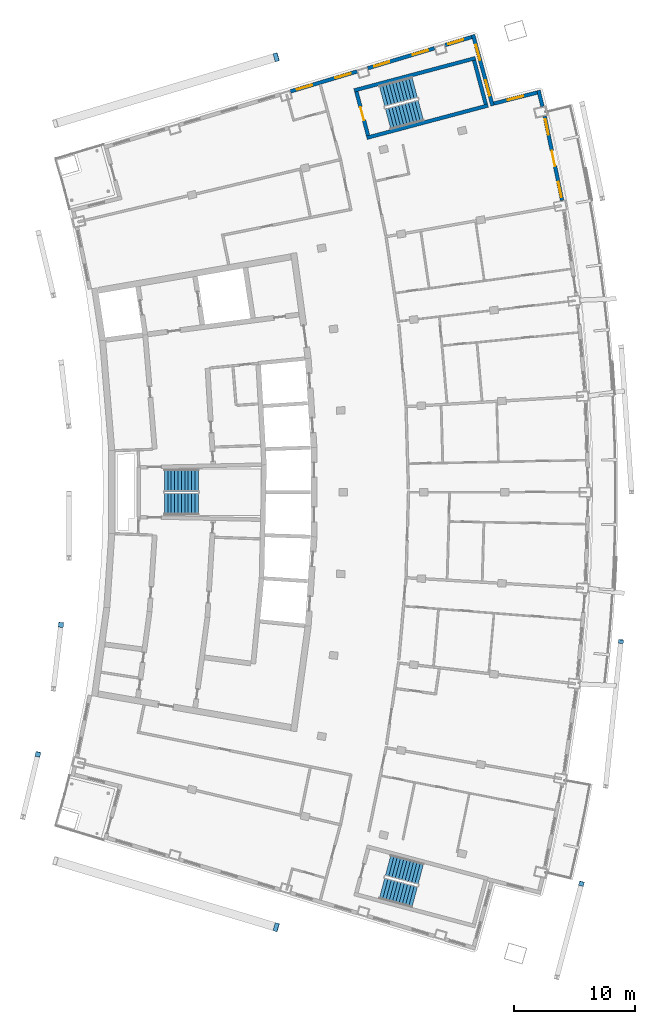
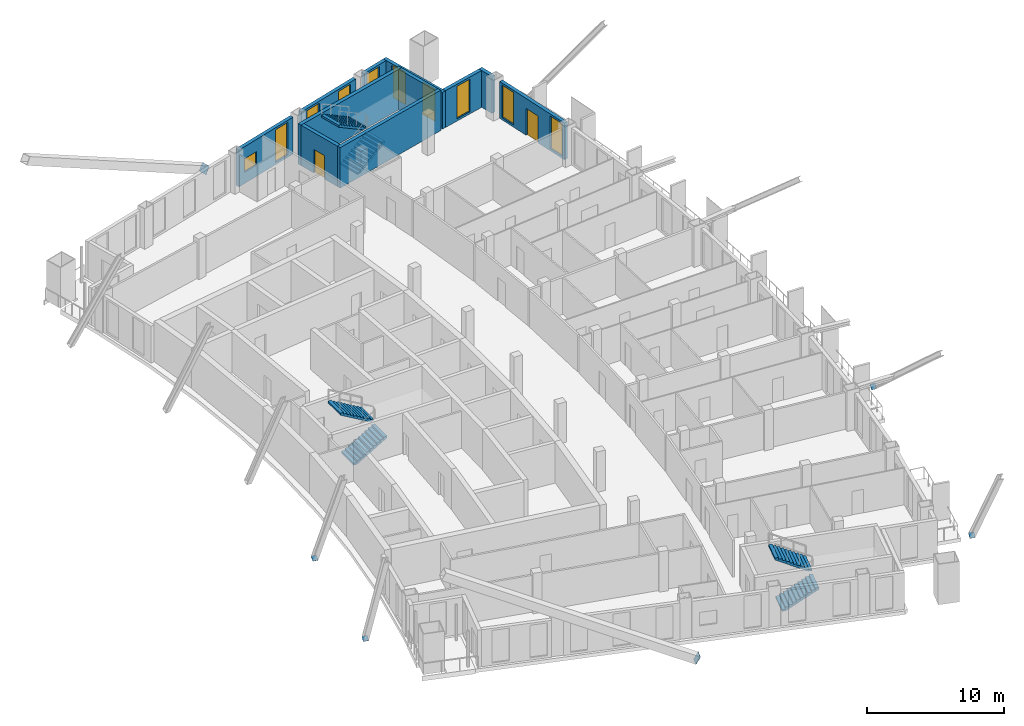
# One storey, part 13 of 17: 11 walls, 10 windows, 6 discrete accessories, 6 stair flights, 2 doors, 12 openings, 3 elements without a shape of their own.
"""IFC4 building model written with IfcOpenShell, lengths in metres."""

from ifc_helpers import new_model, si_unit, direction, frame, frame_2d, origin, origin_2d, place, context, subcontext, project, spatial, polyline, rectangle, outline, extrude, material, layer, layer_set, material_profile, profile_set, type_object, element, fill, aggregate, save


model = new_model("IFC4")

# Units and contexts
model_context = context("Model", 3, precision=1e-05, world=origin(), true_north=direction((0.0, 1.0)))
body_context = subcontext(model_context, "Body", "Model", "MODEL_VIEW")
ifc_project = project(units=[si_unit("LENGTHUNIT", "METRE"), si_unit("AREAUNIT", "SQUARE_METRE"), si_unit("VOLUMEUNIT", "CUBIC_METRE"), si_unit("PLANEANGLEUNIT", "RADIAN"), si_unit("MASSUNIT", "GRAM", prefix="KILO")], contexts=[model_context])

# Site, building, storey
site_placement = place(None, origin())
site = spatial("IfcSite", under=ifc_project, at=site_placement, CompositionType="ELEMENT")
building_placement = place(site_placement, origin())
building = spatial("IfcBuilding", under=site, at=building_placement, Name="Alderwake Tower", CompositionType="ELEMENT")
storey_placement = place(building_placement, frame((0.0, 0.0, 278.0)))
storey = spatial("IfcBuildingStorey", under=building, at=storey_placement, Name="L69", CompositionType="ELEMENT", Elevation=278.0)

# Walls
ifc_material_1 = material(Name="Concrete C70/85", Category="concrete")
ifc_layer_1 = layer(ifc_material_1, 0.300048828125)
ifc_layer_set_1 = layer_set([ifc_layer_1], Name="Core wall stair enclosure 300 C70-85")
wall_type_1 = type_object("IfcWallType", Name="Core wall stair enclosure 300 C70-85", PredefinedType="SHEAR", material=ifc_layer_set_1)
for number, where, z_axis, x_axis, name in (
    (1, (36.71142578125, 94.182373046875, 0.0), (0.0, 0.0, 1.0), (0.966309214305, 0.257383958996, 0.0), "Core wall CW.082"),
    (2, (37.75390625, 90.268798828125, 0.0), (0.0, 0.0, 1.0), (0.966309214305, 0.257383958996, 0.0), "Core wall CW.084"),
):
    element("IfcWall", number, at=place(storey_placement, frame(where, z_axis=z_axis, x_axis=x_axis)), inside=storey, type_object=wall_type_1, Name=name, PredefinedType="SHEAR", context=body_context, shape_type="SweptSolid", body=[
        extrude(rectangle(XDim=10.360107421875, YDim=0.300048828125, at=frame_2d((5.18017578125, 0.0))), origin(), (0.0, 0.0, 1.0), 3.60009765625),
    ])

# Wall, opening, door
wall_1_placement = place(storey_placement, frame((37.8603515625, 90.452392578125, 0.0), z_axis=(0.0, 0.0, 1.0), x_axis=(-0.257411420208, 0.966301899381, 0.0)))
wall_1 = element("IfcWall", 3, at=wall_1_placement, inside=storey, type_object=wall_type_1, Name="Core wall CW.083", PredefinedType="SHEAR", context=body_context, shape_type="SweptSolid", body=[
    extrude(rectangle(XDim=3.750244140625, YDim=0.300048828125, at=frame_2d((1.875, 0.0))), origin(), (0.0, 0.0, 1.0), 3.60009765625),
])
opening_1_placement = place(wall_1_placement, frame((1.324951171875, 0.0, 0.0)))
opening_1 = element("IfcOpeningElement", 4, at=opening_1_placement, cuts=wall_1, Name="Opening C062", PredefinedType="OPENING", context=body_context, shape_type="SweptSolid", body=[
    extrude(rectangle(XDim=1.10009765625, YDim=2.10009765625, at=frame_2d((0.550048828125, 1.050048828125))), frame((0.0, 0.159912109375, 0.0), z_axis=(0.0, -1.0, 0.0), x_axis=(1.0, 0.0, 0.0)), (0.0, 0.0, 1.0), 0.320068359375),
])
ifc_material_2 = material(Name="Steel-framed fire door leaf", Category="steel")
door_type_1 = type_object("IfcDoorType", Name="Core stair door 1100 fire-rated", OperationType="SINGLE_SWING_LEFT", PredefinedType="DOOR", material=ifc_material_2)
door_1_placement = place(opening_1_placement, origin())
door_1 = element("IfcDoor", 5, at=door_1_placement, inside=storey, type_object=door_type_1, Name="Stair door", OperationType="SINGLE_SWING_RIGHT", OverallHeight=2.10009765625, OverallWidth=1.10009765625, PredefinedType="DOOR", context=body_context, shape_type="SweptSolid", body=[
    extrude(rectangle(XDim=1.10009765625, YDim=2.10009765625, at=frame_2d((0.550048828125, 1.050048828125))), frame((0.0, 0.02490234375, 0.0), z_axis=(0.0, -1.0, 0.0), x_axis=(1.0, 0.0, 0.0)), (0.0, 0.0, 1.0), 0.050048828125),
])
fill(opening_1, door_1)

# Wall
wall_2_placement = place(storey_placement, frame((47.581298828125, 93.041748046875, 0.0), z_axis=(0.0, 0.0, 1.0), x_axis=(-0.257366821694, 0.966313778796, 0.0)))
element("IfcWall", 6, at=wall_2_placement, inside=storey, type_object=wall_type_1, Name="Core wall CW.081", PredefinedType="SHEAR", context=body_context, shape_type="SweptSolid", body=[
    extrude(rectangle(XDim=3.749755859375, YDim=0.300048828125, at=frame_2d((1.875, 0.0))), origin(), (0.0, 0.0, 1.0), 3.60009765625),
])

# Wall, openings, door, windows
ifc_material_3 = material(Name="Precast concrete C50/60 spandrel panel", Category="concrete")
ifc_layer_2 = layer(ifc_material_3, 0.300048828125)
ifc_layer_set_2 = layer_set([ifc_layer_2], Name="External wall EW1 Precast concrete C50/60 spandrel")
wall_type_2 = type_object("IfcWallType", Name="External wall EW1 Precast concrete C50/60 spandrel", PredefinedType="SOLIDWALL", material=ifc_layer_set_2)
wall_3_placement = place(storey_placement, frame((53.886474609375, 85.100341796875, 0.0), z_axis=(0.0, 0.0, 1.0), x_axis=(-0.202764970436, 0.979227433625, 0.0)))
wall_3 = element("IfcWall", 7, at=wall_3_placement, inside=storey, type_object=wall_type_2, Name="External wall 19", PredefinedType="SOLIDWALL", context=body_context, shape_type="SweptSolid", body=[
    extrude(rectangle(XDim=7.091796875, YDim=0.300048828125, at=frame_2d((3.5458984375, 0.0))), origin(), (0.0, 0.0, 1.0), 3.280029296875),
])
opening_2_placement = place(wall_3_placement, frame((0.255615234375, 0.0, 0.199951171875)))
opening_2 = element("IfcOpeningElement", 8, at=opening_2_placement, cuts=wall_3, Name="Opening W1", PredefinedType="OPENING", context=body_context, shape_type="SweptSolid", body=[
    extrude(rectangle(XDim=1.300048828125, YDim=2.89990234375, at=frame_2d((0.64990234375, 1.449951171875))), frame((0.0, 0.159912109375, 0.0), z_axis=(0.0, -1.0, 0.0), x_axis=(1.0, 0.0, 0.0)), (0.0, 0.0, 1.0), 0.320068359375),
])
opening_3_placement = place(wall_3_placement, frame((2.895751953125, 0.0, 0.0)))
opening_3 = element("IfcOpeningElement", 9, at=opening_3_placement, cuts=wall_3, Name="Opening D08", PredefinedType="OPENING", context=body_context, shape_type="SweptSolid", body=[
    extrude(rectangle(XDim=1.300048828125, YDim=2.39990234375, at=frame_2d((0.64990234375, 1.199951171875))), frame((0.0, 0.159912109375, 0.0), z_axis=(0.0, -1.0, 0.0), x_axis=(1.0, 0.0, 0.0)), (0.0, 0.0, 1.0), 0.320068359375),
])
opening_4_placement = place(wall_3_placement, frame((5.535888671875, 0.0, 0.199951171875)))
opening_4 = element("IfcOpeningElement", 10, at=opening_4_placement, cuts=wall_3, Name="Opening W1", PredefinedType="OPENING", context=body_context, shape_type="SweptSolid", body=[
    extrude(rectangle(XDim=1.300048828125, YDim=2.89990234375, at=frame_2d((0.64990234375, 1.449951171875))), frame((0.0, 0.159912109375, 0.0), z_axis=(0.0, -1.0, 0.0), x_axis=(1.0, 0.0, 0.0)), (0.0, 0.0, 1.0), 0.320068359375),
])
ifc_material_4 = material(Name="Bronze tinted glass in aluminium frame", Category="aluminium")
door_type_2 = type_object("IfcDoorType", Name="Balcony door BD sliding", OperationType="SLIDING_TO_LEFT", PredefinedType="DOOR", material=ifc_material_4)
door_2_placement = place(opening_3_placement, origin())
door_2 = element("IfcDoor", 11, at=door_2_placement, inside=storey, type_object=door_type_2, Name="Door D08", OperationType="SLIDING_TO_LEFT", OverallHeight=2.39990234375, OverallWidth=1.300048828125, PredefinedType="DOOR", context=body_context, shape_type="SweptSolid", body=[
    extrude(rectangle(XDim=1.300048828125, YDim=2.39990234375, at=frame_2d((0.64990234375, 1.199951171875))), frame((0.0, 0.02490234375, 0.0), z_axis=(0.0, -1.0, 0.0), x_axis=(1.0, 0.0, 0.0)), (0.0, 0.0, 1.0), 0.050048828125),
])
fill(opening_3, door_2)
ifc_material_5 = material(Name="Bronze tinted glass in aluminium frame", Category="aluminium")
window_type_1 = type_object("IfcWindowType", Name="Window W1 tall fixed and vent", PartitioningType="DOUBLE_PANEL_VERTICAL", PredefinedType="WINDOW", material=ifc_material_5)
window_1_placement = place(opening_2_placement, origin())
window_1 = element("IfcWindow", 12, at=window_1_placement, inside=storey, type_object=window_type_1, Name="Window W1 tall fixed and vent", OverallHeight=2.89990234375, OverallWidth=1.300048828125, PartitioningType="DOUBLE_PANEL_VERTICAL", PredefinedType="WINDOW", context=body_context, shape_type="SweptSolid", body=[
    extrude(rectangle(XDim=1.300048828125, YDim=2.89990234375, at=frame_2d((0.64990234375, 1.449951171875))), frame((0.0, 0.030029296875, 0.0), z_axis=(0.0, -1.0, 0.0), x_axis=(1.0, 0.0, 0.0)), (0.0, 0.0, 1.0), 0.06005859375),
])
fill(opening_2, window_1)
window_2_placement = place(opening_4_placement, origin())
window_2 = element("IfcWindow", 13, at=window_2_placement, inside=storey, type_object=window_type_1, Name="Window W1 tall fixed and vent", OverallHeight=2.89990234375, OverallWidth=1.300048828125, PartitioningType="DOUBLE_PANEL_VERTICAL", PredefinedType="WINDOW", context=body_context, shape_type="SweptSolid", body=[
    extrude(rectangle(XDim=1.300048828125, YDim=2.89990234375, at=frame_2d((0.64990234375, 1.449951171875))), frame((0.0, 0.030029296875, 0.0), z_axis=(0.0, -1.0, 0.0), x_axis=(1.0, 0.0, 0.0)), (0.0, 0.0, 1.0), 0.06005859375),
])
fill(opening_4, window_2)

# Wall
wall_4_placement = place(storey_placement, frame((52.2666015625, 92.8515625, 0.0), z_axis=(0.0, 0.0, 1.0), x_axis=(-0.238407508489, 0.971165207313, 0.0)))
element("IfcWall", 14, at=wall_4_placement, inside=storey, type_object=wall_type_2, Name="External wall 20", PredefinedType="SOLIDWALL", context=body_context, shape_type="SweptSolid", body=[
    extrude(rectangle(XDim=1.37841796875, YDim=0.300048828125, at=frame_2d((0.689208984375, 0.0))), origin(), (0.0, 0.0, 1.0), 3.280029296875),
])

# Wall, opening, window
ifc_material_6 = material(Name="Bronze metal cladding on lightweight framing")
ifc_layer_3 = layer(ifc_material_6, 0.300048828125)
ifc_layer_set_3 = layer_set([ifc_layer_3], Name="External wall EW2 bronze metal cladding")
wall_type_3 = type_object("IfcWallType", Name="External wall EW2 bronze metal cladding", PredefinedType="SOLIDWALL", material=ifc_layer_set_3)
wall_5_placement = place(storey_placement, frame((51.828369140625, 94.0078125, 0.0), z_axis=(0.0, 0.0, 1.0), x_axis=(-0.969426922046, -0.245380200529, 0.0)))
wall_5 = element("IfcWall", 15, at=wall_5_placement, inside=storey, type_object=wall_type_3, Name="External wall 21", PredefinedType="SOLIDWALL", context=body_context, shape_type="SweptSolid", body=[
    extrude(rectangle(XDim=3.6943359375, YDim=0.300048828125, at=frame_2d((1.84716796875, 0.0))), origin(), (0.0, 0.0, 1.0), 3.280029296875),
])
opening_5_placement = place(wall_5_placement, frame((1.197021484375, 0.0, 0.199951171875)))
opening_5 = element("IfcOpeningElement", 16, at=opening_5_placement, cuts=wall_5, Name="Opening W1", PredefinedType="OPENING", context=body_context, shape_type="SweptSolid", body=[
    extrude(rectangle(XDim=1.300048828125, YDim=2.89990234375, at=frame_2d((0.64990234375, 1.449951171875))), frame((0.0, 0.159912109375, 0.0), z_axis=(0.0, -1.0, 0.0), x_axis=(1.0, 0.0, 0.0)), (0.0, 0.0, 1.0), 0.320068359375),
])
window_3_placement = place(opening_5_placement, origin())
window_3 = element("IfcWindow", 17, at=window_3_placement, inside=storey, type_object=window_type_1, Name="Window W1 tall fixed and vent", OverallHeight=2.89990234375, OverallWidth=1.300048828125, PartitioningType="DOUBLE_PANEL_VERTICAL", PredefinedType="WINDOW", context=body_context, shape_type="SweptSolid", body=[
    extrude(rectangle(XDim=1.300048828125, YDim=2.89990234375, at=frame_2d((0.64990234375, 1.449951171875))), frame((0.0, 0.030029296875, 0.0), z_axis=(0.0, -1.0, 0.0), x_axis=(1.0, 0.0, 0.0)), (0.0, 0.0, 1.0), 0.06005859375),
])
fill(opening_5, window_3)

# Wall, openings, windows
wall_6_placement = place(storey_placement, frame((48.141357421875, 92.919921875, 0.0), z_axis=(0.0, 0.0, 1.0), x_axis=(-0.265081779461, 0.96422593317, 0.0)))
wall_6 = element("IfcWall", 18, at=wall_6_placement, inside=storey, type_object=wall_type_3, Name="External wall 22", PredefinedType="SOLIDWALL", context=body_context, shape_type="SweptSolid", body=[
    extrude(rectangle(XDim=6.07666015625, YDim=0.300048828125, at=frame_2d((3.038330078125, 0.0))), origin(), (0.0, 0.0, 1.0), 3.280029296875),
])
opening_6_placement = place(wall_6_placement, frame((0.869140625, 0.0, 0.199951171875)))
opening_6 = element("IfcOpeningElement", 19, at=opening_6_placement, cuts=wall_6, Name="Opening W1", PredefinedType="OPENING", context=body_context, shape_type="SweptSolid", body=[
    extrude(rectangle(XDim=1.300048828125, YDim=2.89990234375, at=frame_2d((0.64990234375, 1.449951171875))), frame((0.0, 0.159912109375, 0.0), z_axis=(0.0, -1.0, 0.0), x_axis=(1.0, 0.0, 0.0)), (0.0, 0.0, 1.0), 0.320068359375),
])
opening_7_placement = place(wall_6_placement, frame((3.90771484375, 0.0, 0.199951171875)))
opening_7 = element("IfcOpeningElement", 20, at=opening_7_placement, cuts=wall_6, Name="Opening W1", PredefinedType="OPENING", context=body_context, shape_type="SweptSolid", body=[
    extrude(rectangle(XDim=1.300048828125, YDim=2.89990234375, at=frame_2d((0.64990234375, 1.449951171875))), frame((0.0, 0.159912109375, 0.0), z_axis=(0.0, -1.0, 0.0), x_axis=(1.0, 0.0, 0.0)), (0.0, 0.0, 1.0), 0.320068359375),
])
window_4_placement = place(opening_6_placement, origin())
window_4 = element("IfcWindow", 21, at=window_4_placement, inside=storey, type_object=window_type_1, Name="Window W1 tall fixed and vent", OverallHeight=2.89990234375, OverallWidth=1.300048828125, PartitioningType="DOUBLE_PANEL_VERTICAL", PredefinedType="WINDOW", context=body_context, shape_type="SweptSolid", body=[
    extrude(rectangle(XDim=1.300048828125, YDim=2.89990234375, at=frame_2d((0.64990234375, 1.449951171875))), frame((0.0, 0.030029296875, 0.0), z_axis=(0.0, -1.0, 0.0), x_axis=(1.0, 0.0, 0.0)), (0.0, 0.0, 1.0), 0.06005859375),
])
fill(opening_6, window_4)
window_5_placement = place(opening_7_placement, origin())
window_5 = element("IfcWindow", 22, at=window_5_placement, inside=storey, type_object=window_type_1, Name="Window W1 tall fixed and vent", OverallHeight=2.89990234375, OverallWidth=1.300048828125, PartitioningType="DOUBLE_PANEL_VERTICAL", PredefinedType="WINDOW", context=body_context, shape_type="SweptSolid", body=[
    extrude(rectangle(XDim=1.300048828125, YDim=2.89990234375, at=frame_2d((0.64990234375, 1.449951171875))), frame((0.0, 0.030029296875, 0.0), z_axis=(0.0, -1.0, 0.0), x_axis=(1.0, 0.0, 0.0)), (0.0, 0.0, 1.0), 0.06005859375),
])
fill(opening_7, window_5)

# Wall, opening, window
wall_7_placement = place(storey_placement, frame((46.4267578125, 98.591552734375, 0.0), z_axis=(0.0, 0.0, 1.0), x_axis=(-0.957773977811, -0.287522185977, 0.0)))
wall_7 = element("IfcWall", 23, at=wall_7_placement, inside=storey, type_object=wall_type_3, Name="External wall 23", PredefinedType="SOLIDWALL", context=body_context, shape_type="SweptSolid", body=[
    extrude(rectangle(XDim=2.31298828125, YDim=0.300048828125, at=frame_2d((1.156494140625, 0.0))), origin(), (0.0, 0.0, 1.0), 3.280029296875),
])
opening_8_placement = place(wall_7_placement, frame((0.732421875, 0.0, 0.199951171875)))
opening_8 = element("IfcOpeningElement", 24, at=opening_8_placement, cuts=wall_7, Name="Opening W1", PredefinedType="OPENING", context=body_context, shape_type="SweptSolid", body=[
    extrude(rectangle(XDim=1.300048828125, YDim=2.89990234375, at=frame_2d((0.64990234375, 1.449951171875))), frame((0.0, 0.159912109375, 0.0), z_axis=(0.0, -1.0, 0.0), x_axis=(1.0, 0.0, 0.0)), (0.0, 0.0, 1.0), 0.320068359375),
])
window_6_placement = place(opening_8_placement, origin())
window_6 = element("IfcWindow", 25, at=window_6_placement, inside=storey, type_object=window_type_1, Name="Window W1 tall fixed and vent", OverallHeight=2.89990234375, OverallWidth=1.300048828125, PartitioningType="DOUBLE_PANEL_VERTICAL", PredefinedType="WINDOW", context=body_context, shape_type="SweptSolid", body=[
    extrude(rectangle(XDim=1.300048828125, YDim=2.89990234375, at=frame_2d((0.64990234375, 1.449951171875))), frame((0.0, 0.030029296875, 0.0), z_axis=(0.0, -1.0, 0.0), x_axis=(1.0, 0.0, 0.0)), (0.0, 0.0, 1.0), 0.06005859375),
])
fill(opening_8, window_6)

# Wall, openings, windows
wall_8_placement = place(storey_placement, frame((43.34619140625, 97.66650390625, 0.0), z_axis=(0.0, 0.0, 1.0), x_axis=(-0.957776135082, -0.287514999726, 0.0)))
wall_8 = element("IfcWall", 26, at=wall_8_placement, inside=storey, type_object=wall_type_3, Name="External wall 24", PredefinedType="SOLIDWALL", context=body_context, shape_type="SweptSolid", body=[
    extrude(rectangle(XDim=5.76318359375, YDim=0.300048828125, at=frame_2d((2.881591796875, 0.0))), origin(), (0.0, 0.0, 1.0), 3.280029296875),
])
opening_9_placement = place(wall_8_placement, frame((0.56494140625, 0.0, 0.199951171875)))
opening_9 = element("IfcOpeningElement", 27, at=opening_9_placement, cuts=wall_8, Name="Opening W1", PredefinedType="OPENING", context=body_context, shape_type="SweptSolid", body=[
    extrude(rectangle(XDim=1.300048828125, YDim=2.89990234375, at=frame_2d((0.64990234375, 1.449951171875))), frame((0.0, 0.159912109375, 0.0), z_axis=(0.0, -1.0, 0.0), x_axis=(1.0, 0.0, 0.0)), (0.0, 0.0, 1.0), 0.320068359375),
])
opening_10_placement = place(wall_8_placement, frame((3.8984375, 0.0, 0.199951171875)))
opening_10 = element("IfcOpeningElement", 28, at=opening_10_placement, cuts=wall_8, Name="Opening W1", PredefinedType="OPENING", context=body_context, shape_type="SweptSolid", body=[
    extrude(rectangle(XDim=1.300048828125, YDim=2.89990234375, at=frame_2d((0.64990234375, 1.449951171875))), frame((0.0, 0.159912109375, 0.0), z_axis=(0.0, -1.0, 0.0), x_axis=(1.0, 0.0, 0.0)), (0.0, 0.0, 1.0), 0.320068359375),
])
window_7_placement = place(opening_9_placement, origin())
window_7 = element("IfcWindow", 29, at=window_7_placement, inside=storey, type_object=window_type_1, Name="Window W1 tall fixed and vent", OverallHeight=2.89990234375, OverallWidth=1.300048828125, PartitioningType="DOUBLE_PANEL_VERTICAL", PredefinedType="WINDOW", context=body_context, shape_type="SweptSolid", body=[
    extrude(rectangle(XDim=1.300048828125, YDim=2.89990234375, at=frame_2d((0.64990234375, 1.449951171875))), frame((0.0, 0.030029296875, 0.0), z_axis=(0.0, -1.0, 0.0), x_axis=(1.0, 0.0, 0.0)), (0.0, 0.0, 1.0), 0.06005859375),
])
fill(opening_9, window_7)
window_8_placement = place(opening_10_placement, origin())
window_8 = element("IfcWindow", 30, at=window_8_placement, inside=storey, type_object=window_type_1, Name="Window W1 tall fixed and vent", OverallHeight=2.89990234375, OverallWidth=1.300048828125, PartitioningType="DOUBLE_PANEL_VERTICAL", PredefinedType="WINDOW", context=body_context, shape_type="SweptSolid", body=[
    extrude(rectangle(XDim=1.300048828125, YDim=2.89990234375, at=frame_2d((0.64990234375, 1.449951171875))), frame((0.0, 0.030029296875, 0.0), z_axis=(0.0, -1.0, 0.0), x_axis=(1.0, 0.0, 0.0)), (0.0, 0.0, 1.0), 0.06005859375),
])
fill(opening_10, window_8)

wall_9_placement = place(storey_placement, frame((36.961181640625, 95.74951171875, 0.0), z_axis=(0.0, 0.0, 1.0), x_axis=(-0.957767971424, -0.287542193278, 0.0)))
wall_9 = element("IfcWall", 31, at=wall_9_placement, inside=storey, type_object=wall_type_3, Name="External wall 25", PredefinedType="SOLIDWALL", context=body_context, shape_type="SweptSolid", body=[
    extrude(rectangle(XDim=5.763427734375, YDim=0.300048828125, at=frame_2d((2.8818359375, 0.0))), origin(), (0.0, 0.0, 1.0), 3.280029296875),
])
opening_11_placement = place(wall_9_placement, frame((0.56494140625, 0.0, 0.199951171875)))
opening_11 = element("IfcOpeningElement", 32, at=opening_11_placement, cuts=wall_9, Name="Opening W1", PredefinedType="OPENING", context=body_context, shape_type="SweptSolid", body=[
    extrude(rectangle(XDim=1.300048828125, YDim=2.89990234375, at=frame_2d((0.64990234375, 1.449951171875))), frame((0.0, 0.159912109375, 0.0), z_axis=(0.0, -1.0, 0.0), x_axis=(1.0, 0.0, 0.0)), (0.0, 0.0, 1.0), 0.320068359375),
])
opening_12_placement = place(wall_9_placement, frame((3.8984375, 0.0, 1.0)))
opening_12 = element("IfcOpeningElement", 33, at=opening_12_placement, cuts=wall_9, Name="Opening W2", PredefinedType="OPENING", context=body_context, shape_type="SweptSolid", body=[
    extrude(rectangle(XDim=1.300048828125, YDim=1.199951171875, at=frame_2d((0.64990234375, 0.60009765625))), frame((0.0, 0.159912109375, 0.0), z_axis=(0.0, -1.0, 0.0), x_axis=(1.0, 0.0, 0.0)), (0.0, 0.0, 1.0), 0.320068359375),
])
window_9_placement = place(opening_11_placement, origin())
window_9 = element("IfcWindow", 34, at=window_9_placement, inside=storey, type_object=window_type_1, Name="Window W1 tall fixed and vent", OverallHeight=2.89990234375, OverallWidth=1.300048828125, PartitioningType="DOUBLE_PANEL_VERTICAL", PredefinedType="WINDOW", context=body_context, shape_type="SweptSolid", body=[
    extrude(rectangle(XDim=1.300048828125, YDim=2.89990234375, at=frame_2d((0.64990234375, 1.449951171875))), frame((0.0, 0.030029296875, 0.0), z_axis=(0.0, -1.0, 0.0), x_axis=(1.0, 0.0, 0.0)), (0.0, 0.0, 1.0), 0.06005859375),
])
fill(opening_11, window_9)
ifc_material_7 = material(Name="Bronze tinted glass in aluminium frame", Category="aluminium")
window_type_2 = type_object("IfcWindowType", Name="Window W2 kitchen and bath", PartitioningType="SINGLE_PANEL", PredefinedType="WINDOW", material=ifc_material_7)
window_10_placement = place(opening_12_placement, origin())
window_10 = element("IfcWindow", 35, at=window_10_placement, inside=storey, type_object=window_type_2, Name="Window W2 kitchen and bath", OverallHeight=1.199951171875, OverallWidth=1.300048828125, PartitioningType="SINGLE_PANEL", PredefinedType="WINDOW", context=body_context, shape_type="SweptSolid", body=[
    extrude(rectangle(XDim=1.300048828125, YDim=1.199951171875, at=frame_2d((0.64990234375, 0.60009765625))), frame((0.0, 0.030029296875, 0.0), z_axis=(0.0, -1.0, 0.0), x_axis=(1.0, 0.0, 0.0)), (0.0, 0.0, 1.0), 0.06005859375),
])
fill(opening_12, window_10)

# Stair, stair flights
ifc_material_8 = material(Name="Concrete C40/50", Category="concrete")
stair_type = type_object("IfcStairType", Name="Core exit stair", PredefinedType="HALF_TURN_STAIR", material=ifc_material_8)
stair_1_placement = place(storey_placement, origin())
stair_1 = element("IfcStair", 36, at=stair_1_placement, inside=storey, type_object=stair_type, Name="L69 Exit Stair B", PredefinedType="HALF_TURN_STAIR")
ifc_material_9 = material(Name="Concrete C40/50", Category="concrete")
ifc_layer_4 = layer(ifc_material_9, 0.14990234375)
ifc_layer_set_4 = layer_set([ifc_layer_4], Name="Core stair flight")
stair_flight_type = type_object("IfcStairFlightType", Name="Core stair flight", PredefinedType="STRAIGHT", material=ifc_layer_set_4)
stair_flight_1_placement = place(storey_placement, frame((21.0400390625, 60.02490234375, 0.0), z_axis=(0.0, 0.0, 1.0), x_axis=(1.0, 0.0, 0.0)))
stair_flight_1 = element("IfcStairFlight", 37, at=stair_flight_1_placement, type_object=stair_flight_type, Name="ST-B flight 1", NumberOfRisers=11, NumberOfTreads=10, PredefinedType="STRAIGHT", RiserHeight=0.163636364, TreadLength=0.28, context=body_context, shape_type="SweptSolid", body=[
    extrude(outline(polyline([(0.0, 0.0), (0.0, 0.16357421875), (0.280029296875, 0.16357421875), (0.280029296875, 0.327392578125), (0.56005859375, 0.327392578125), (0.56005859375, 0.490966796875), (0.840087890625, 0.490966796875), (0.840087890625, 0.654541015625), (1.1201171875, 0.654541015625), (1.1201171875, 0.818115234375), (1.39990234375, 0.818115234375), (1.39990234375, 0.98193359375), (1.679931640625, 0.98193359375), (1.679931640625, 1.1455078125), (1.9599609375, 1.1455078125), (1.9599609375, 1.30908203125), (2.239990234375, 1.30908203125), (2.239990234375, 1.47265625), (2.52001953125, 1.47265625), (2.52001953125, 1.636474609375), (2.800048828125, 1.636474609375), (2.800048828125, 1.800048828125), (2.800048828125, 1.462646484375), (0.297119140625, 0.0), (0.0, 0.0)])), frame((0.0, 0.89990234375, 0.0), z_axis=(0.0, -1.0, 0.0), x_axis=(1.0, 0.0, 0.0)), (0.0, 0.0, 1.0), 1.800048828125),
])
stair_flight_2_placement = place(storey_placement, frame((23.840087890625, 61.97509765625, 1.800048828125), z_axis=(0.0, 0.0, 1.0), x_axis=(-1.0, 0.0, 0.0)))
stair_flight_2 = element("IfcStairFlight", 38, at=stair_flight_2_placement, type_object=stair_flight_type, Name="ST-B flight 2", NumberOfRisers=11, NumberOfTreads=10, PredefinedType="STRAIGHT", RiserHeight=0.163636364, TreadLength=0.28, context=body_context, shape_type="SweptSolid", body=[
    extrude(outline(polyline([(0.0, 0.0), (0.0, 0.16357421875), (0.280029296875, 0.16357421875), (0.280029296875, 0.327392578125), (0.56005859375, 0.327392578125), (0.56005859375, 0.490966796875), (0.840087890625, 0.490966796875), (0.840087890625, 0.654541015625), (1.1201171875, 0.654541015625), (1.1201171875, 0.818115234375), (1.39990234375, 0.818115234375), (1.39990234375, 0.98193359375), (1.679931640625, 0.98193359375), (1.679931640625, 1.1455078125), (1.9599609375, 1.1455078125), (1.9599609375, 1.30908203125), (2.239990234375, 1.30908203125), (2.239990234375, 1.47265625), (2.52001953125, 1.47265625), (2.52001953125, 1.636474609375), (2.800048828125, 1.636474609375), (2.800048828125, 1.800048828125), (2.800048828125, 1.462646484375), (0.297119140625, 0.0), (0.0, 0.0)])), frame((0.0, 0.89990234375, 0.0), z_axis=(0.0, -1.0, 0.0), x_axis=(1.0, 0.0, 0.0)), (0.0, 0.0, 1.0), 1.800048828125),
])
aggregate(stair_1, [stair_flight_1, stair_flight_2])

stair_2_placement = place(storey_placement, origin())
stair_2 = element("IfcStair", 39, at=stair_2_placement, inside=storey, type_object=stair_type, Name="L69 Exit Stair A", PredefinedType="HALF_TURN_STAIR")
stair_flight_3_placement = place(storey_placement, frame((39.512939453125, 91.823974609375, 0.0), z_axis=(0.0, 0.0, 1.0), x_axis=(0.966309627437, 0.257382407951, 0.0)))
stair_flight_3 = element("IfcStairFlight", 40, at=stair_flight_3_placement, type_object=stair_flight_type, Name="ST-A flight 1", NumberOfRisers=11, NumberOfTreads=10, PredefinedType="STRAIGHT", RiserHeight=0.163636364, TreadLength=0.28, context=body_context, shape_type="SweptSolid", body=[
    extrude(outline(polyline([(0.0, 0.0), (0.0, 0.16357421875), (0.280029296875, 0.16357421875), (0.280029296875, 0.327392578125), (0.56005859375, 0.327392578125), (0.56005859375, 0.490966796875), (0.840087890625, 0.490966796875), (0.840087890625, 0.654541015625), (1.1201171875, 0.654541015625), (1.1201171875, 0.818115234375), (1.39990234375, 0.818115234375), (1.39990234375, 0.98193359375), (1.679931640625, 0.98193359375), (1.679931640625, 1.1455078125), (1.9599609375, 1.1455078125), (1.9599609375, 1.30908203125), (2.239990234375, 1.30908203125), (2.239990234375, 1.47265625), (2.52001953125, 1.47265625), (2.52001953125, 1.636474609375), (2.800048828125, 1.636474609375), (2.800048828125, 1.800048828125), (2.800048828125, 1.462646484375), (0.297119140625, 0.0), (0.0, 0.0)])), frame((0.0, 0.89990234375, 0.0), z_axis=(0.0, -1.0, 0.0), x_axis=(1.0, 0.0, 0.0)), (0.0, 0.0, 1.0), 1.800048828125),
])
stair_flight_4_placement = place(storey_placement, frame((41.716796875, 94.428955078125, 1.800048828125), z_axis=(0.0, 0.0, 1.0), x_axis=(-0.966309627437, -0.257382407951, 0.0)))
stair_flight_4 = element("IfcStairFlight", 41, at=stair_flight_4_placement, type_object=stair_flight_type, Name="ST-A flight 2", NumberOfRisers=11, NumberOfTreads=10, PredefinedType="STRAIGHT", RiserHeight=0.163636364, TreadLength=0.28, context=body_context, shape_type="SweptSolid", body=[
    extrude(outline(polyline([(0.0, 0.0), (0.0, 0.16357421875), (0.280029296875, 0.16357421875), (0.280029296875, 0.327392578125), (0.56005859375, 0.327392578125), (0.56005859375, 0.490966796875), (0.840087890625, 0.490966796875), (0.840087890625, 0.654541015625), (1.1201171875, 0.654541015625), (1.1201171875, 0.818115234375), (1.39990234375, 0.818115234375), (1.39990234375, 0.98193359375), (1.679931640625, 0.98193359375), (1.679931640625, 1.1455078125), (1.9599609375, 1.1455078125), (1.9599609375, 1.30908203125), (2.239990234375, 1.30908203125), (2.239990234375, 1.47265625), (2.52001953125, 1.47265625), (2.52001953125, 1.636474609375), (2.800048828125, 1.636474609375), (2.800048828125, 1.800048828125), (2.800048828125, 1.462646484375), (0.297119140625, 0.0), (0.0, 0.0)])), frame((0.0, 0.89990234375, 0.0), z_axis=(0.0, -1.0, 0.0), x_axis=(1.0, 0.0, 0.0)), (0.0, 0.0, 1.0), 1.800048828125),
])
aggregate(stair_2, [stair_flight_3, stair_flight_4])

stair_3_placement = place(storey_placement, origin())
stair_3 = element("IfcStair", 42, at=stair_3_placement, inside=storey, type_object=stair_type, Name="L69 Exit Stair C", PredefinedType="HALF_TURN_STAIR")
stair_flight_5_placement = place(storey_placement, frame((39.010986328125, 28.291748046875, 0.0), z_axis=(0.0, 0.0, 1.0), x_axis=(0.966309627437, -0.257382407951, 0.0)))
stair_flight_5 = element("IfcStairFlight", 43, at=stair_flight_5_placement, type_object=stair_flight_type, Name="ST-C flight 1", NumberOfRisers=11, NumberOfTreads=10, PredefinedType="STRAIGHT", RiserHeight=0.163636364, TreadLength=0.28, context=body_context, shape_type="SweptSolid", body=[
    extrude(outline(polyline([(0.0, 0.0), (0.0, 0.16357421875), (0.280029296875, 0.16357421875), (0.280029296875, 0.327392578125), (0.56005859375, 0.327392578125), (0.56005859375, 0.490966796875), (0.840087890625, 0.490966796875), (0.840087890625, 0.654541015625), (1.1201171875, 0.654541015625), (1.1201171875, 0.818115234375), (1.39990234375, 0.818115234375), (1.39990234375, 0.98193359375), (1.679931640625, 0.98193359375), (1.679931640625, 1.1455078125), (1.9599609375, 1.1455078125), (1.9599609375, 1.30908203125), (2.239990234375, 1.30908203125), (2.239990234375, 1.47265625), (2.52001953125, 1.47265625), (2.52001953125, 1.636474609375), (2.800048828125, 1.636474609375), (2.800048828125, 1.800048828125), (2.800048828125, 1.462646484375), (0.297119140625, 0.0), (0.0, 0.0)])), frame((0.0, 0.89990234375, 0.0), z_axis=(0.0, -1.0, 0.0), x_axis=(1.0, 0.0, 0.0)), (0.0, 0.0, 1.0), 1.800048828125),
])
stair_flight_6_placement = place(storey_placement, frame((42.218505859375, 29.455322265625, 1.800048828125), z_axis=(0.0, 0.0, 1.0), x_axis=(-0.966309627437, 0.257382407951, 0.0)))
stair_flight_6 = element("IfcStairFlight", 44, at=stair_flight_6_placement, type_object=stair_flight_type, Name="ST-C flight 2", NumberOfRisers=11, NumberOfTreads=10, PredefinedType="STRAIGHT", RiserHeight=0.163636364, TreadLength=0.28, context=body_context, shape_type="SweptSolid", body=[
    extrude(outline(polyline([(0.0, 0.0), (0.0, 0.16357421875), (0.280029296875, 0.16357421875), (0.280029296875, 0.327392578125), (0.56005859375, 0.327392578125), (0.56005859375, 0.490966796875), (0.840087890625, 0.490966796875), (0.840087890625, 0.654541015625), (1.1201171875, 0.654541015625), (1.1201171875, 0.818115234375), (1.39990234375, 0.818115234375), (1.39990234375, 0.98193359375), (1.679931640625, 0.98193359375), (1.679931640625, 1.1455078125), (1.9599609375, 1.1455078125), (1.9599609375, 1.30908203125), (2.239990234375, 1.30908203125), (2.239990234375, 1.47265625), (2.52001953125, 1.47265625), (2.52001953125, 1.636474609375), (2.800048828125, 1.636474609375), (2.800048828125, 1.800048828125), (2.800048828125, 1.462646484375), (0.297119140625, 0.0), (0.0, 0.0)])), frame((0.0, 0.89990234375, 0.0), z_axis=(0.0, -1.0, 0.0), x_axis=(1.0, 0.0, 0.0)), (0.0, 0.0, 1.0), 1.800048828125),
])
aggregate(stair_3, [stair_flight_5, stair_flight_6])

# Discrete accessories
ifc_material_10 = material(Name="Steel ASTM A572 Grade 50", Category="steel")
ifc_material_profile_1 = material_profile(ifc_material_10, rectangle(XDim=0.699951171875, YDim=0.699951171875, at=origin_2d()), Name="BOX 700X700X45 cap")
ifc_profile_set_1 = profile_set([ifc_material_profile_1], Name="Steel ASTM A572 Grade 50")
discrete_accessory_type_1 = type_object("IfcDiscreteAccessoryType", Name="End cap plate BOX 700X700X45", PredefinedType="USERDEFINED", material=ifc_profile_set_1)
for number, where, z_axis, x_axis, name in (
    (45, (30.263427734375, 25.07666015625, 0.2568359375), (0.836265988917, -0.251691705402, -0.487145236262), (0.288200688743, 0.957570030341, 0.0), "End cap BRS5.2.0B2 X"),
    (46, (30.263427734375, 96.92333984375, 0.2568359375), (0.836265988917, 0.251691705402, -0.487145236262), (-0.288200688743, 0.957570030341, 0.0), "End cap BRN5.2.0B2 X"),
):
    element("IfcDiscreteAccessory", number, at=place(storey_placement, frame(where, z_axis=z_axis, x_axis=x_axis)), inside=storey, type_object=discrete_accessory_type_1, Name=name, ObjectType="END CAP", PredefinedType="USERDEFINED", context=body_context, shape_type="SweptSolid", body=[
        extrude(rectangle(XDim=0.699951171875, YDim=0.699951171875, at=origin_2d()), origin(), (0.0, 0.0, 1.0), 0.030029296875),
    ])
ifc_material_11 = material(Name="Steel ASTM A572 Grade 50", Category="steel")
ifc_material_profile_2 = material_profile(ifc_material_11, rectangle(XDim=0.41552734375, YDim=0.445556640625, at=origin_2d()), Name="W14X342 cap")
ifc_profile_set_2 = profile_set([ifc_material_profile_2], Name="Steel ASTM A572 Grade 50")
discrete_accessory_type_2 = type_object("IfcDiscreteAccessoryType", Name="End cap plate W14X342", PredefinedType="USERDEFINED", material=ifc_profile_set_2)
for number, where, z_axis, x_axis, name in (
    (47, (55.48388671875, 28.65478515625, 0.20361328125), (0.154369542892, 0.584979320433, -0.796221852811), (-0.966900358349, 0.255154261231, 0.0), "End cap BRF5.2.2B2 X"),
    (48, (58.7373046875, 48.658935546875, 0.16552734375), (0.07322641444, 0.748536680943, -0.65903772996), (-0.995249100669, 0.097361325065, 0.0), "End cap BRF5.2.4B2 X"),
):
    element("IfcDiscreteAccessory", number, at=place(storey_placement, frame(where, z_axis=z_axis, x_axis=x_axis)), inside=storey, type_object=discrete_accessory_type_2, Name=name, ObjectType="END CAP", PredefinedType="USERDEFINED", context=body_context, shape_type="SweptSolid", body=[
        extrude(rectangle(XDim=0.41552734375, YDim=0.445556640625, at=origin_2d()), origin(), (0.0, 0.0, 1.0), 0.030029296875),
    ])
for number, where, z_axis, x_axis, name in (
    (49, (10.588134765625, 39.34130859375, 0.25), (0.106646979811, 0.434791533074, -0.894193907642), (-0.971210844098, 0.238221527798, 0.0), "End cap BRR5.2.2B2 X"),
    (50, (12.493408203125, 50.033203125, 0.25), (0.057450433744, 0.443189060308, -0.894585325436), (-0.991702506662, 0.128554028641, 0.0), "End cap BRR5.2.4B2 X"),
):
    element("IfcDiscreteAccessory", number, at=place(storey_placement, frame(where, z_axis=z_axis, x_axis=x_axis)), inside=storey, type_object=discrete_accessory_type_2, Name=name, ObjectType="END CAP", PredefinedType="USERDEFINED", context=body_context, shape_type="SweptSolid", body=[
        extrude(rectangle(XDim=0.41552734375, YDim=0.445556640625, at=origin_2d()), origin(), (0.0, 0.0, 1.0), 0.02978515625),
    ])

save(model, "model.ifc")
